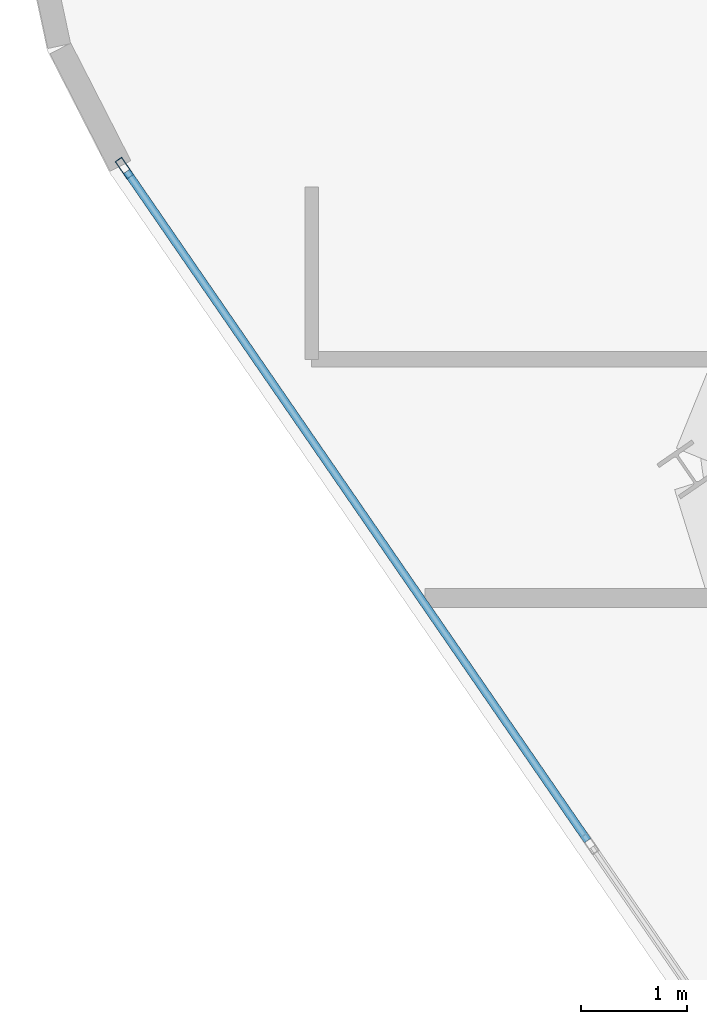
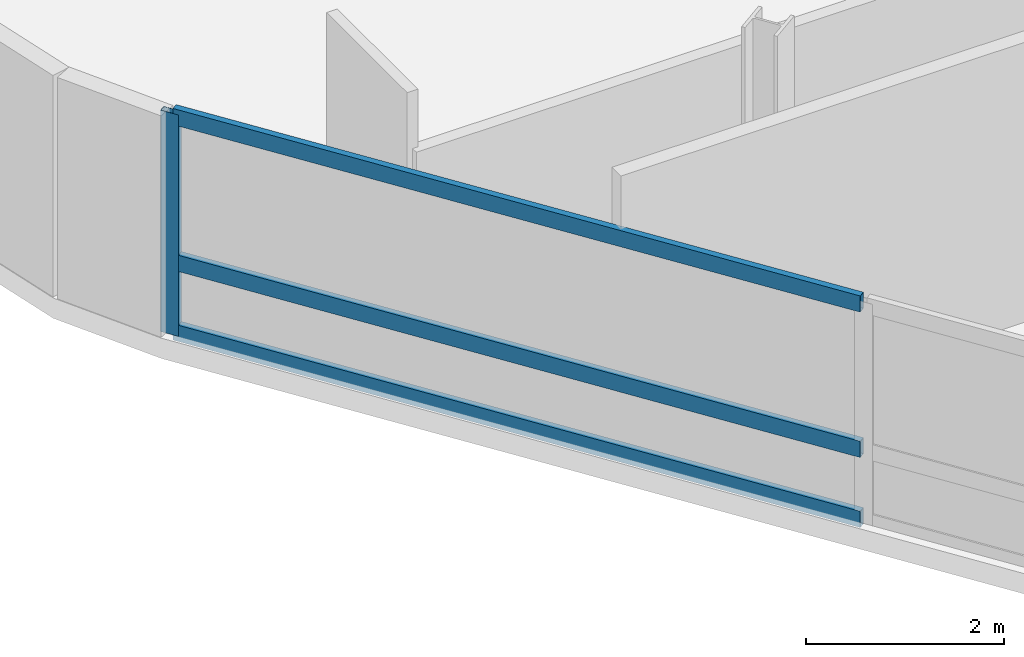
# One storey, part 6 of 21: 4 members, 1 element without a shape of its own.
"""IFC4 building model written with IfcOpenShell, lengths in metres."""

from ifc_helpers import new_model, si_unit, direction, frame, origin, origin_2d, place, context, subcontext, project, spatial, hollow_rectangle, extrude, material, layer, layer_set, material_profile, profile_set, type_object, element, aggregate, save


model = new_model("IFC4")

# Units and contexts
model_context = context("Model", 3, precision=1e-05, world=origin(), true_north=direction((0.0, 1.0)))
body_context = subcontext(model_context, "Body", "Model", "MODEL_VIEW")
ifc_project = project(units=[si_unit("LENGTHUNIT", "METRE"), si_unit("AREAUNIT", "SQUARE_METRE"), si_unit("VOLUMEUNIT", "CUBIC_METRE"), si_unit("PLANEANGLEUNIT", "RADIAN"), si_unit("MASSUNIT", "GRAM", prefix="KILO")], contexts=[model_context])

# Site, building, storey
site_placement = place(None, origin())
site = spatial("IfcSite", under=ifc_project, at=site_placement, CompositionType="ELEMENT")
building_placement = place(site_placement, origin())
building = spatial("IfcBuilding", under=site, at=building_placement, Name="Varnelok Gate Tower", CompositionType="ELEMENT")
storey_placement = place(building_placement, frame((0.0, 0.0, 265.60009765625)))
storey = spatial("IfcBuildingStorey", under=building, at=storey_placement, Name="L68", CompositionType="ELEMENT", Elevation=265.60009765625)

# Curtain wall, members
ifc_material = material(Name="Anodized Aluminum Alloy 6063-T6", Category="aluminium")
ifc_layer = layer(ifc_material, 0.179931640625)
ifc_layer_set = layer_set([ifc_layer], Name="Anodized Aluminum Alloy 6063-T6")
curtain_wall_type = type_object("IfcCurtainWallType", Name="CW4-RESIDENCE-VISION", PredefinedType="USERDEFINED", material=ifc_layer_set)
curtain_wall_placement = place(storey_placement, origin())
curtain_wall = element("IfcCurtainWall", 1, at=curtain_wall_placement, inside=storey, type_object=curtain_wall_type, Name="L68 West End Vision Curtain Wall", ObjectType="UNITISED CURTAIN WALL", PredefinedType="USERDEFINED")
ifc_material_profile_1 = material_profile(ifc_material, hollow_rectangle(XDim=0.074951171875, YDim=0.199951171875, WallThickness=0.00390625, at=origin_2d()), Name="ALU200X75X4")
ifc_profile_set_1 = profile_set([ifc_material_profile_1], Name="Anodized Aluminum Alloy 6063-T6")
member_type_1 = type_object("IfcMemberType", Name="CW-MULL-200", PredefinedType="MULLION", material=ifc_profile_set_1)
member_1_placement = place(storey_placement, frame((3.228271484375, 19.4189453125, 0.0), z_axis=(0.0, 0.0, 1.0), x_axis=(-0.823532290241, -0.567269395376, 0.0)))
member_1 = element("IfcMember", 2, at=member_1_placement, type_object=member_type_1, Name="CW4 mullion 5", PredefinedType="MULLION", context=body_context, shape_type="SweptSolid", body=[
    extrude(hollow_rectangle(XDim=0.074951171875, YDim=0.199951171875, WallThickness=0.00390625, at=origin_2d()), origin(), (0.0, 0.0, 1.0), 2.72998046875),
])
ifc_material_profile_2 = material_profile(ifc_material, hollow_rectangle(XDim=0.074951171875, YDim=0.199951171875, WallThickness=0.00390625, at=origin_2d()), Name="ALU200X75X4")
ifc_profile_set_2 = profile_set([ifc_material_profile_2], Name="Anodized Aluminum Alloy 6063-T6")
member_type_2 = type_object("IfcMemberType", Name="CW-TRAN-200", PredefinedType="USERDEFINED", material=ifc_profile_set_2)
member_2_placement = place(storey_placement, frame((7.6103515625, 13.05712890625, 0.037353515625), z_axis=(-0.567256418128, 0.82354122914, 0.0), x_axis=(-0.82354122914, -0.567256418128, 0.0)))
member_2 = element("IfcMember", 3, at=member_2_placement, type_object=member_type_2, Name="CW4 transom 4.1", ObjectType="TRANSOM", PredefinedType="USERDEFINED", context=body_context, shape_type="SweptSolid", body=[
    extrude(hollow_rectangle(XDim=0.074951171875, YDim=0.199951171875, WallThickness=0.00390625, at=origin_2d()), origin(), (0.0, 0.0, 1.0), 7.6875),
])
member_3_placement = place(storey_placement, frame((7.6103515625, 13.05712890625, 0.89990234375), z_axis=(-0.567256418128, 0.82354122914, 0.0), x_axis=(-0.82354122914, -0.567256418128, 0.0)))
member_3 = element("IfcMember", 4, at=member_3_placement, type_object=member_type_2, Name="CW4 transom 4.2", ObjectType="TRANSOM", PredefinedType="USERDEFINED", context=body_context, shape_type="SweptSolid", body=[
    extrude(hollow_rectangle(XDim=0.074951171875, YDim=0.199951171875, WallThickness=0.00390625, at=origin_2d()), origin(), (0.0, 0.0, 1.0), 7.6875),
])
member_4_placement = place(storey_placement, frame((7.6103515625, 13.05712890625, 2.6923828125), z_axis=(-0.567256418128, 0.82354122914, 0.0), x_axis=(-0.82354122914, -0.567256418128, 0.0)))
member_4 = element("IfcMember", 5, at=member_4_placement, type_object=member_type_2, Name="CW4 transom 4.3", ObjectType="TRANSOM", PredefinedType="USERDEFINED", context=body_context, shape_type="SweptSolid", body=[
    extrude(hollow_rectangle(XDim=0.074951171875, YDim=0.199951171875, WallThickness=0.00390625, at=origin_2d()), origin(), (0.0, 0.0, 1.0), 7.6875),
])
aggregate(curtain_wall, [member_1, member_2, member_3, member_4])

save(model, "model.ifc")
